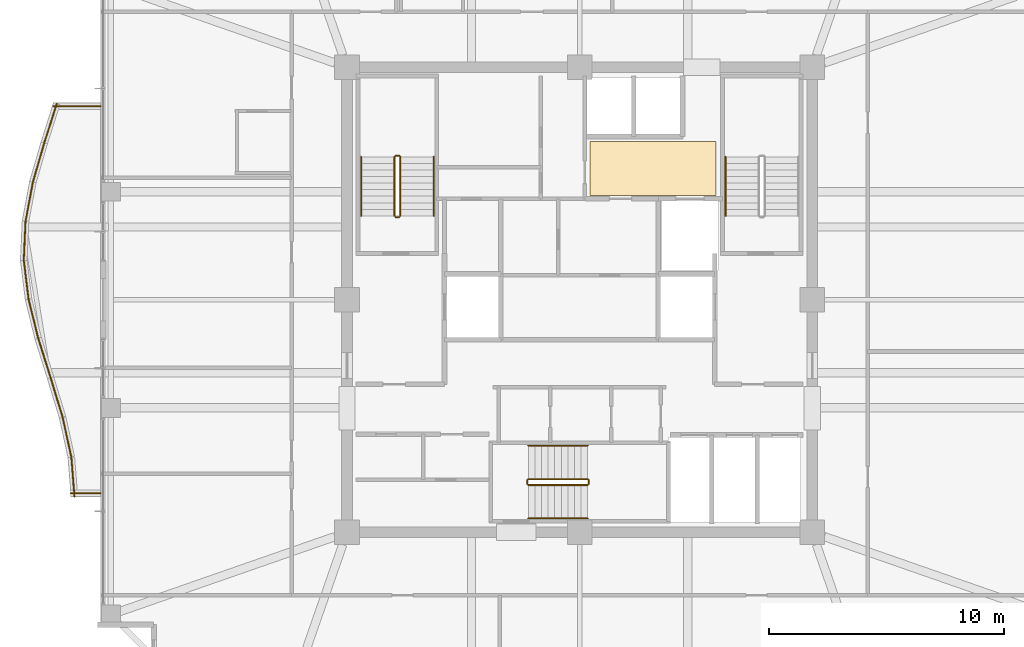
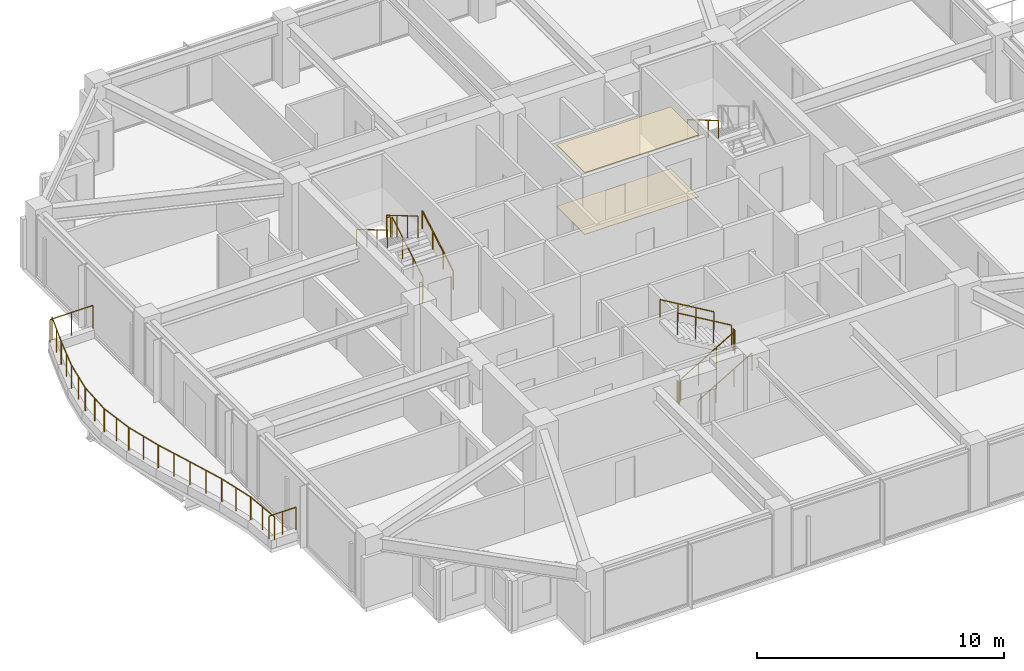
# One storey, part 33 of 34: 25 railings, 2 coverings.
"""IFC4 building model written with IfcOpenShell, lengths in metres."""

from ifc_helpers import new_model, si_unit, direction, frame, origin, origin_2d, place, context, subcontext, project, spatial, polyline, circle, outline, extrude, material, layer, layer_set, type_object, element, save


model = new_model("IFC4")

# Units and contexts
model_context = context("Model", 3, precision=1e-05, world=origin(), true_north=direction((0.0, 1.0)))
body_context = subcontext(model_context, "Body", "Model", "MODEL_VIEW")
ifc_project = project(units=[si_unit("LENGTHUNIT", "METRE"), si_unit("AREAUNIT", "SQUARE_METRE"), si_unit("VOLUMEUNIT", "CUBIC_METRE"), si_unit("PLANEANGLEUNIT", "RADIAN"), si_unit("MASSUNIT", "GRAM", prefix="KILO")], contexts=[model_context])

# Site, building, storey
site_placement = place(None, origin())
site = spatial("IfcSite", under=ifc_project, at=site_placement, CompositionType="ELEMENT")
building_placement = place(site_placement, origin())
building = spatial("IfcBuilding", under=site, at=building_placement, Name="Kolvaren Belvedere", CompositionType="ELEMENT")
storey_placement = place(building_placement, frame((0.0, 0.0, 222.89990234375)))
storey = spatial("IfcBuildingStorey", under=building, at=storey_placement, Name="L65", CompositionType="ELEMENT", Elevation=222.89990234375)

# Coverings
ifc_material_1 = material(Name="Acoustic perforated gypsum board", Category="gypsum")
ifc_layer_1 = layer(ifc_material_1, 0.02490234375)
ifc_layer_set_1 = layer_set([ifc_layer_1], Name="Acoustic perforated gypsum board")
covering_type_1 = type_object("IfcCoveringType", Name="COV-CEIL-GYP", PredefinedType="CEILING", material=ifc_layer_set_1)
covering_1_placement = place(storey_placement, frame((0.0, 0.0, 3.05517578125)))
element("IfcCovering", 1, at=covering_1_placement, inside=storey, type_object=covering_type_1, Name="L65 Lift Lobby Acoustic Baffle Ceiling", PredefinedType="CEILING", context=body_context, shape_type="SweptSolid", body=[
    extrude(outline(polyline([(0.449951171875, 4.449951171875), (5.800048828125, 4.449951171875), (5.800048828125, 6.75), (0.449951171875, 6.75), (0.449951171875, 4.449951171875)])), origin(), (0.0, 0.0, 1.0), 0.02490234375),
])
ifc_material_2 = material(Name="Engineered Pacific white oak", Category="timber")
ifc_layer_2 = layer(ifc_material_2, 0.02001953125)
ifc_layer_set_2 = layer_set([ifc_layer_2], Name="Engineered Pacific white oak")
covering_type_2 = type_object("IfcCoveringType", Name="COV-FLR-OAK", PredefinedType="FLOORING", material=ifc_layer_set_2)
covering_2_placement = place(storey_placement, origin())
element("IfcCovering", 2, at=covering_2_placement, inside=storey, type_object=covering_type_2, Name="L65 Lift Lobby Finish Flooring", PredefinedType="FLOORING", context=body_context, shape_type="SweptSolid", body=[
    extrude(outline(polyline([(0.449951171875, 4.449951171875), (5.800048828125, 4.449951171875), (5.800048828125, 6.75), (0.449951171875, 6.75), (0.449951171875, 4.449951171875)])), origin(), (0.0, 0.0, 1.0), 0.02001953125),
])

# Railings
ifc_material_3 = material(Name="Anodised pale-metal aluminium & laminated glass guard", Category="aluminium")
railing_type_1 = type_object("IfcRailingType", Name="RL-GUARD-1150", PredefinedType="GUARDRAIL", material=ifc_material_3)
railing_1_placement = place(storey_placement, frame((-22.25390625, 8.351318359375, 0.380126953125)))
element("IfcRailing", 3, at=railing_1_placement, inside=storey, type_object=railing_type_1, Name="L65 Exterior Deck Safety Guard BAL-W-1", PredefinedType="GUARDRAIL", context=body_context, shape_type="SweptSolid", body=[
    extrude(circle(Radius=0.02392578125, at=origin_2d()), frame((0.0, 0.0, 1.1259765625), z_axis=(-0.304032153573, -0.952661770826, 0.0), x_axis=(0.952661770826, -0.304032153573, 0.0)), (0.0, 0.0, 1.0), 1.763427734375),
    extrude(circle(Radius=0.02099609375, at=origin_2d()), origin(), (0.0, 0.0, 1.0), 1.101806640625),
    extrude(circle(Radius=0.02099609375, at=origin_2d()), frame((-0.26806640625, -0.83984375, 0.0)), (0.0, 0.0, 1.0), 1.101806640625),
    extrude(circle(Radius=0.02099609375, at=origin_2d()), frame((-0.5361328125, -1.679931640625, 0.0)), (0.0, 0.0, 1.0), 1.101806640625),
])
railing_2_placement = place(storey_placement, frame((-22.788818359375, 6.675537109375, 0.380126953125)))
element("IfcRailing", 4, at=railing_2_placement, inside=storey, type_object=railing_type_1, Name="L65 Exterior Deck Safety Guard BAL-W-2", PredefinedType="GUARDRAIL", context=body_context, shape_type="SweptSolid", body=[
    extrude(circle(Radius=0.02392578125, at=origin_2d()), frame((0.0, 0.0, 1.1259765625), z_axis=(-0.277817391164, -0.960633903819, 0.0), x_axis=(0.960633903819, -0.277817391164, 0.0)), (0.0, 0.0, 1.0), 1.748779296875),
    extrude(circle(Radius=0.02099609375, at=origin_2d()), origin(), (0.0, 0.0, 1.0), 1.101806640625),
    extrude(circle(Radius=0.02099609375, at=origin_2d()), frame((-0.242919921875, -0.83984375, 0.0)), (0.0, 0.0, 1.0), 1.101806640625),
    extrude(circle(Radius=0.02099609375, at=origin_2d()), frame((-0.48583984375, -1.679931640625, 0.0)), (0.0, 0.0, 1.0), 1.101806640625),
])
railing_3_placement = place(storey_placement, frame((-23.271240234375, 5.010498046875, 0.380126953125)))
element("IfcRailing", 5, at=railing_3_placement, inside=storey, type_object=railing_type_1, Name="L65 Exterior Deck Safety Guard BAL-W-3", PredefinedType="GUARDRAIL", context=body_context, shape_type="SweptSolid", body=[
    extrude(circle(Radius=0.02392578125, at=origin_2d()), frame((0.0, 0.0, 1.1259765625), z_axis=(-0.184650661912, -0.982804219087, 0.0), x_axis=(0.982804219087, -0.184650661912, 0.0)), (0.0, 0.0, 1.0), 1.70947265625),
    extrude(circle(Radius=0.02099609375, at=origin_2d()), origin(), (0.0, 0.0, 1.0), 1.101806640625),
    extrude(circle(Radius=0.02099609375, at=origin_2d()), frame((-0.15771484375, -0.840087890625, 0.0)), (0.0, 0.0, 1.0), 1.101806640625),
    extrude(circle(Radius=0.02099609375, at=origin_2d()), frame((-0.315673828125, -1.68017578125, 0.0)), (0.0, 0.0, 1.0), 1.101806640625),
])
railing_4_placement = place(storey_placement, frame((-23.58447265625, 3.352783203125, 0.380126953125)))
element("IfcRailing", 6, at=railing_4_placement, inside=storey, type_object=railing_type_1, Name="L65 Exterior Deck Safety Guard BAL-W-4", PredefinedType="GUARDRAIL", context=body_context, shape_type="SweptSolid", body=[
    extrude(circle(Radius=0.02392578125, at=origin_2d()), frame((0.0, 0.0, 1.1259765625), z_axis=(-0.045005941428, -0.998986719249, 0.0), x_axis=(0.998986719249, -0.045005941428, 0.0)), (0.0, 0.0, 1.0), 1.681640625),
    extrude(circle(Radius=0.02099609375, at=origin_2d()), origin(), (0.0, 0.0, 1.0), 1.101806640625),
    extrude(circle(Radius=0.02099609375, at=origin_2d()), frame((-0.037841796875, -0.83984375, 0.0)), (0.0, 0.0, 1.0), 1.101806640625),
    extrude(circle(Radius=0.02099609375, at=origin_2d()), frame((-0.07568359375, -1.679931640625, 0.0)), (0.0, 0.0, 1.0), 1.101806640625),
])
railing_5_placement = place(storey_placement, frame((-23.6611328125, 1.699462890625, 0.380126953125)))
element("IfcRailing", 7, at=railing_5_placement, inside=storey, type_object=railing_type_1, Name="L65 Exterior Deck Safety Guard BAL-W-5", PredefinedType="GUARDRAIL", context=body_context, shape_type="SweptSolid", body=[
    extrude(circle(Radius=0.02392578125, at=origin_2d()), frame((0.0, 0.0, 1.1259765625), z_axis=(0.121886315522, -0.99254406758, 0.0), x_axis=(0.99254406758, 0.121886315522, 0.0)), (0.0, 0.0, 1.0), 1.692626953125),
    extrude(circle(Radius=0.02099609375, at=origin_2d()), origin(), (0.0, 0.0, 1.0), 1.101806640625),
    extrude(circle(Radius=0.02099609375, at=origin_2d()), frame((0.10302734375, -0.83984375, 0.0)), (0.0, 0.0, 1.0), 1.101806640625),
    extrude(circle(Radius=0.02099609375, at=origin_2d()), frame((0.206298828125, -1.679931640625, 0.0)), (0.0, 0.0, 1.0), 1.101806640625),
])
railing_6_placement = place(storey_placement, frame((-23.458251953125, 0.038330078125, 0.380126953125)))
element("IfcRailing", 8, at=railing_6_placement, inside=storey, type_object=railing_type_1, Name="L65 Exterior Deck Safety Guard BAL-W-6", PredefinedType="GUARDRAIL", context=body_context, shape_type="SweptSolid", body=[
    extrude(circle(Radius=0.02392578125, at=origin_2d()), frame((0.0, 0.0, 1.1259765625), z_axis=(0.239180748277, -0.970975061293, 0.0), x_axis=(0.970975061293, 0.239180748277, 0.0)), (0.0, 0.0, 1.0), 1.730224609375),
    extrude(circle(Radius=0.02099609375, at=origin_2d()), origin(), (0.0, 0.0, 1.0), 1.101806640625),
    extrude(circle(Radius=0.02099609375, at=origin_2d()), frame((0.20703125, -0.83984375, 0.0)), (0.0, 0.0, 1.0), 1.101806640625),
    extrude(circle(Radius=0.02099609375, at=origin_2d()), frame((0.413818359375, -1.679931640625, 0.0)), (0.0, 0.0, 1.0), 1.101806640625),
])
railing_7_placement = place(storey_placement, frame((-23.047119140625, -1.632080078125, 0.380126953125)))
element("IfcRailing", 9, at=railing_7_placement, inside=storey, type_object=railing_type_1, Name="L65 Exterior Deck Safety Guard BAL-W-7", PredefinedType="GUARDRAIL", context=body_context, shape_type="SweptSolid", body=[
    extrude(circle(Radius=0.02392578125, at=origin_2d()), frame((0.0, 0.0, 1.1259765625), z_axis=(0.299624691176, -0.954057149461, 0.0), x_axis=(0.954057149461, 0.299624691176, 0.0)), (0.0, 0.0, 1.0), 1.7607421875),
    extrude(circle(Radius=0.02099609375, at=origin_2d()), origin(), (0.0, 0.0, 1.0), 1.101806640625),
    extrude(circle(Radius=0.02099609375, at=origin_2d()), frame((0.263671875, -0.83984375, 0.0)), (0.0, 0.0, 1.0), 1.101806640625),
    extrude(circle(Radius=0.02099609375, at=origin_2d()), frame((0.527587890625, -1.679931640625, 0.0)), (0.0, 0.0, 1.0), 1.101806640625),
])
railing_8_placement = place(storey_placement, frame((-22.51904296875, -3.3134765625, 0.380126953125)))
element("IfcRailing", 10, at=railing_8_placement, inside=storey, type_object=railing_type_1, Name="L65 Exterior Deck Safety Guard BAL-W-8", PredefinedType="GUARDRAIL", context=body_context, shape_type="SweptSolid", body=[
    extrude(circle(Radius=0.02392578125, at=origin_2d()), frame((0.0, 0.0, 1.1259765625), z_axis=(0.290879426191, -0.956759718748, 0.0), x_axis=(0.956759718748, 0.290879426191, 0.0)), (0.0, 0.0, 1.0), 1.755859375),
    extrude(circle(Radius=0.02099609375, at=origin_2d()), origin(), (0.0, 0.0, 1.0), 1.101806640625),
    extrude(circle(Radius=0.02099609375, at=origin_2d()), frame((0.25537109375, -0.83984375, 0.0)), (0.0, 0.0, 1.0), 1.101806640625),
    extrude(circle(Radius=0.02099609375, at=origin_2d()), frame((0.5107421875, -1.679931640625, 0.0)), (0.0, 0.0, 1.0), 1.101806640625),
])
railing_9_placement = place(storey_placement, frame((-22.0048828125, -5.005859375, 0.380126953125)))
element("IfcRailing", 11, at=railing_9_placement, inside=storey, type_object=railing_type_1, Name="L65 Exterior Deck Safety Guard BAL-W-9", PredefinedType="GUARDRAIL", context=body_context, shape_type="SweptSolid", body=[
    extrude(circle(Radius=0.02392578125, at=origin_2d()), frame((0.0, 0.0, 1.1259765625), z_axis=(0.213802724545, -0.976876857632, 0.0), x_axis=(0.976876857632, 0.213802724545, 0.0)), (0.0, 0.0, 1.0), 1.7197265625),
    extrude(circle(Radius=0.02099609375, at=origin_2d()), origin(), (0.0, 0.0, 1.0), 1.101806640625),
    extrude(circle(Radius=0.02099609375, at=origin_2d()), frame((0.183837890625, -0.83984375, 0.0)), (0.0, 0.0, 1.0), 1.101806640625),
    extrude(circle(Radius=0.02099609375, at=origin_2d()), frame((0.36767578125, -1.679931640625, 0.0)), (0.0, 0.0, 1.0), 1.101806640625),
])
railing_10_placement = place(storey_placement, frame((-21.634033203125, -6.707275390625, 0.380126953125)))
element("IfcRailing", 12, at=railing_10_placement, inside=storey, type_object=railing_type_1, Name="L65 Exterior Deck Safety Guard BAL-W-10", PredefinedType="GUARDRAIL", context=body_context, shape_type="SweptSolid", body=[
    extrude(circle(Radius=0.02392578125, at=origin_2d()), frame((0.0, 0.0, 1.1259765625), z_axis=(0.079244268248, -0.99685522818, 0.0), x_axis=(0.99685522818, 0.079244268248, 0.0)), (0.0, 0.0, 1.0), 1.685302734375),
    extrude(circle(Radius=0.02099609375, at=origin_2d()), origin(), (0.0, 0.0, 1.0), 1.101806640625),
    extrude(circle(Radius=0.02099609375, at=origin_2d()), frame((0.06689453125, -0.83984375, 0.0)), (0.0, 0.0, 1.0), 1.101806640625),
    extrude(circle(Radius=0.02099609375, at=origin_2d()), frame((0.133544921875, -1.679931640625, 0.0)), (0.0, 0.0, 1.0), 1.101806640625),
])
railing_11_placement = place(storey_placement, frame((-21.659912109375, -8.239990234375, 0.380126953125)))
element("IfcRailing", 13, at=railing_11_placement, inside=storey, type_object=railing_type_1, Name="L65 Exterior Deck Safety Guard BAL-W-11", PredefinedType="GUARDRAIL", context=body_context, shape_type="SweptSolid", body=[
    extrude(circle(Radius=0.02392578125, at=origin_2d()), frame((0.0, 0.0, 1.1259765625), z_axis=(1.0, 0.0, 0.0), x_axis=(0.0, 1.0, 0.0)), (0.0, 0.0, 1.0), 1.260009765625),
    extrude(circle(Radius=0.02099609375, at=origin_2d()), origin(), (0.0, 0.0, 1.0), 1.101806640625),
    extrude(circle(Radius=0.02099609375, at=origin_2d()), frame((0.6298828125, 0.0, 0.0)), (0.0, 0.0, 1.0), 1.101806640625),
    extrude(circle(Radius=0.02099609375, at=origin_2d()), frame((1.260009765625, 0.0, 0.0)), (0.0, 0.0, 1.0), 1.101806640625),
])
railing_12_placement = place(storey_placement, frame((-20.39990234375, 8.239990234375, 0.380126953125)))
element("IfcRailing", 14, at=railing_12_placement, inside=storey, type_object=railing_type_1, Name="L65 Exterior Deck Safety Guard BAL-W-22", PredefinedType="GUARDRAIL", context=body_context, shape_type="SweptSolid", body=[
    extrude(circle(Radius=0.02392578125, at=origin_2d()), frame((0.0, 0.0, 1.1259765625), z_axis=(-1.0, 0.0, 0.0), x_axis=(0.0, -1.0, 0.0)), (0.0, 0.0, 1.0), 2.00634765625),
    extrude(circle(Radius=0.02099609375, at=origin_2d()), origin(), (0.0, 0.0, 1.0), 1.101806640625),
    extrude(circle(Radius=0.02099609375, at=origin_2d()), frame((-1.003173828125, 0.0, 0.0)), (0.0, 0.0, 1.0), 1.101806640625),
    extrude(circle(Radius=0.02099609375, at=origin_2d()), frame((-2.00634765625, 0.0, 0.0)), (0.0, 0.0, 1.0), 1.101806640625),
])
ifc_material_4 = material(Name="Brushed stainless-steel handrail", Category="steel")
railing_type_2 = type_object("IfcRailingType", Name="RL-HANDRAIL-920", PredefinedType="HANDRAIL", material=ifc_material_4)
railing_13_placement = place(storey_placement, frame((-6.2099609375, 3.570068359375, 0.1650390625)))
element("IfcRailing", 15, at=railing_13_placement, inside=storey, type_object=railing_type_2, Name="L65 ST-1 stair handrail 1", PredefinedType="HANDRAIL", context=body_context, shape_type="SweptSolid", body=[
    extrude(circle(Radius=0.02392578125, at=origin_2d()), frame((0.0, 0.0, 0.8759765625), z_axis=(0.0, 0.86152411907, 0.507716645641), x_axis=(-1.0, 0.0, 0.0)), (0.0, 0.0, 1.0), 2.925048828125),
    extrude(circle(Radius=0.02099609375, at=origin_2d()), origin(), (0.0, 0.0, 1.0), 0.851806640625),
    extrude(circle(Radius=0.02099609375, at=origin_2d()), frame((0.0, 0.840087890625, 0.4951171875)), (0.0, 0.0, 1.0), 0.851806640625),
    extrude(circle(Radius=0.02099609375, at=origin_2d()), frame((0.0, 1.679931640625, 0.989990234375)), (0.0, 0.0, 1.0), 0.851806640625),
    extrude(circle(Radius=0.02099609375, at=origin_2d()), frame((0.0, 2.52001953125, 1.485107421875)), (0.0, 0.0, 1.0), 0.851806640625),
])
for number, where, name in (
    (16, (-9.300048828125, 6.090087890625, 1.815185546875), "L65 ST-1 stair handrail 2"),
    (17, (6.2099609375, 6.090087890625, 1.815185546875), "L65 ST-2 stair handrail 2"),
):
    element("IfcRailing", number, at=place(storey_placement, frame(where)), inside=storey, type_object=railing_type_2, Name=name, PredefinedType="HANDRAIL", context=body_context, shape_type="SweptSolid", body=[
        extrude(circle(Radius=0.02392578125, at=origin_2d()), frame((0.0, 0.0, 0.8759765625), z_axis=(0.0, -0.861560626758, 0.507654692109), x_axis=(1.0, 0.0, 0.0)), (0.0, 0.0, 1.0), 2.925048828125),
        extrude(circle(Radius=0.02099609375, at=origin_2d()), origin(), (0.0, 0.0, 1.0), 0.851806640625),
        extrude(circle(Radius=0.02099609375, at=origin_2d()), frame((0.0, -0.840087890625, 0.494873046875)), (0.0, 0.0, 1.0), 0.851806640625),
        extrude(circle(Radius=0.02099609375, at=origin_2d()), frame((0.0, -1.679931640625, 0.989990234375)), (0.0, 0.0, 1.0), 0.851806640625),
        extrude(circle(Radius=0.02099609375, at=origin_2d()), frame((0.0, -2.52001953125, 1.48486328125)), (0.0, 0.0, 1.0), 0.851806640625),
    ])
railing_14_placement = place(storey_placement, frame((-2.179931640625, -9.300048828125, 0.1650390625)))
element("IfcRailing", 18, at=railing_14_placement, inside=storey, type_object=railing_type_2, Name="L65 ST-3 stair handrail 1", PredefinedType="HANDRAIL", context=body_context, shape_type="SweptSolid", body=[
    extrude(circle(Radius=0.02392578125, at=origin_2d()), frame((0.0, 0.0, 0.8759765625), z_axis=(0.86152411907, 0.0, 0.507716645641), x_axis=(0.0, 1.0, 0.0)), (0.0, 0.0, 1.0), 2.925048828125),
    extrude(circle(Radius=0.02099609375, at=origin_2d()), origin(), (0.0, 0.0, 1.0), 0.851806640625),
    extrude(circle(Radius=0.02099609375, at=origin_2d()), frame((0.840087890625, 0.0, 0.4951171875)), (0.0, 0.0, 1.0), 0.851806640625),
    extrude(circle(Radius=0.02099609375, at=origin_2d()), frame((1.679931640625, 0.0, 0.989990234375)), (0.0, 0.0, 1.0), 0.851806640625),
    extrude(circle(Radius=0.02099609375, at=origin_2d()), frame((2.52001953125, 0.0, 1.485107421875)), (0.0, 0.0, 1.0), 0.851806640625),
])
railing_15_placement = place(storey_placement, frame((0.340087890625, -6.2099609375, 1.815185546875)))
element("IfcRailing", 19, at=railing_15_placement, inside=storey, type_object=railing_type_2, Name="L65 ST-3 stair handrail 2", PredefinedType="HANDRAIL", context=body_context, shape_type="SweptSolid", body=[
    extrude(circle(Radius=0.02392578125, at=origin_2d()), frame((0.0, 0.0, 0.8759765625), z_axis=(-0.861560626758, 0.0, 0.507654692109), x_axis=(0.0, -1.0, 0.0)), (0.0, 0.0, 1.0), 2.925048828125),
    extrude(circle(Radius=0.02099609375, at=origin_2d()), origin(), (0.0, 0.0, 1.0), 0.851806640625),
    extrude(circle(Radius=0.02099609375, at=origin_2d()), frame((-0.840087890625, 0.0, 0.494873046875)), (0.0, 0.0, 1.0), 0.851806640625),
    extrude(circle(Radius=0.02099609375, at=origin_2d()), frame((-1.679931640625, 0.0, 0.989990234375)), (0.0, 0.0, 1.0), 0.851806640625),
    extrude(circle(Radius=0.02099609375, at=origin_2d()), frame((-2.52001953125, 0.0, 1.48486328125)), (0.0, 0.0, 1.0), 0.851806640625),
])
ifc_material_5 = material(Name="Painted tubular steel stair guard", Category="steel")
railing_type_3 = type_object("IfcRailingType", Name="RL-STGUARD-1100", PredefinedType="GUARDRAIL", material=ifc_material_5)
railing_16_placement = place(storey_placement, frame((-7.6298828125, 3.570068359375, 0.1650390625)))
element("IfcRailing", 20, at=railing_16_placement, inside=storey, type_object=railing_type_3, Name="L65 ST-1 stair guard 1", PredefinedType="GUARDRAIL", context=body_context, shape_type="SweptSolid", body=[
    extrude(circle(Radius=0.02392578125, at=origin_2d()), frame((0.0, 0.0, 1.076171875), z_axis=(0.0, 0.86152411907, 0.507716645641), x_axis=(-1.0, 0.0, 0.0)), (0.0, 0.0, 1.0), 2.925048828125),
    extrude(circle(Radius=0.02099609375, at=origin_2d()), origin(), (0.0, 0.0, 1.0), 1.052001953125),
    extrude(circle(Radius=0.02099609375, at=origin_2d()), frame((0.0, 0.840087890625, 0.4951171875)), (0.0, 0.0, 1.0), 1.052001953125),
    extrude(circle(Radius=0.02099609375, at=origin_2d()), frame((0.0, 1.679931640625, 0.989990234375)), (0.0, 0.0, 1.0), 1.052001953125),
    extrude(circle(Radius=0.02099609375, at=origin_2d()), frame((0.0, 2.52001953125, 1.485107421875)), (0.0, 0.0, 1.0), 1.052001953125),
])
railing_17_placement = place(storey_placement, frame((-7.679931640625, 6.139892578125, 1.650146484375)))
element("IfcRailing", 21, at=railing_17_placement, inside=storey, type_object=railing_type_3, Name="L65 ST-1 stair guard 2", PredefinedType="GUARDRAIL", context=body_context, shape_type="SweptSolid", body=[
    extrude(circle(Radius=0.02392578125, at=origin_2d()), frame((0.0, 0.0, 1.076171875), z_axis=(-1.0, 0.0, 0.0), x_axis=(0.0, -1.0, 0.0)), (0.0, 0.0, 1.0), 0.150146484375),
    extrude(circle(Radius=0.02099609375, at=origin_2d()), origin(), (0.0, 0.0, 1.0), 1.052001953125),
    extrude(circle(Radius=0.02099609375, at=origin_2d()), frame((-0.150146484375, 0.0, 0.0)), (0.0, 0.0, 1.0), 1.052001953125),
])
railing_18_placement = place(storey_placement, frame((-7.8798828125, 6.090087890625, 1.815185546875)))
element("IfcRailing", 22, at=railing_18_placement, inside=storey, type_object=railing_type_3, Name="L65 ST-1 stair guard 3", PredefinedType="GUARDRAIL", context=body_context, shape_type="SweptSolid", body=[
    extrude(circle(Radius=0.02392578125, at=origin_2d()), frame((0.0, 0.0, 1.076171875), z_axis=(0.0, -0.861560626758, 0.507654692109), x_axis=(1.0, 0.0, 0.0)), (0.0, 0.0, 1.0), 2.925048828125),
    extrude(circle(Radius=0.02099609375, at=origin_2d()), origin(), (0.0, 0.0, 1.0), 1.052001953125),
    extrude(circle(Radius=0.02099609375, at=origin_2d()), frame((0.0, -0.840087890625, 0.494873046875)), (0.0, 0.0, 1.0), 1.052001953125),
    extrude(circle(Radius=0.02099609375, at=origin_2d()), frame((0.0, -1.679931640625, 0.989990234375)), (0.0, 0.0, 1.0), 1.052001953125),
    extrude(circle(Radius=0.02099609375, at=origin_2d()), frame((0.0, -2.52001953125, 1.48486328125)), (0.0, 0.0, 1.0), 1.052001953125),
])
railing_19_placement = place(storey_placement, frame((-7.679931640625, 3.52001953125, 0.0)))
element("IfcRailing", 23, at=railing_19_placement, inside=storey, type_object=railing_type_3, Name="L65 ST-1 stair guard 4", PredefinedType="GUARDRAIL", context=body_context, shape_type="SweptSolid", body=[
    extrude(circle(Radius=0.02392578125, at=origin_2d()), frame((0.0, 0.0, 1.076171875), z_axis=(-1.0, 0.0, 0.0), x_axis=(0.0, -1.0, 0.0)), (0.0, 0.0, 1.0), 0.150146484375),
    extrude(circle(Radius=0.02099609375, at=origin_2d()), origin(), (0.0, 0.0, 1.0), 1.052001953125),
    extrude(circle(Radius=0.02099609375, at=origin_2d()), frame((-0.150146484375, 0.0, 0.0)), (0.0, 0.0, 1.0), 1.052001953125),
])
railing_20_placement = place(storey_placement, frame((-2.179931640625, -7.8798828125, 0.1650390625)))
element("IfcRailing", 24, at=railing_20_placement, inside=storey, type_object=railing_type_3, Name="L65 ST-3 stair guard 1", PredefinedType="GUARDRAIL", context=body_context, shape_type="SweptSolid", body=[
    extrude(circle(Radius=0.02392578125, at=origin_2d()), frame((0.0, 0.0, 1.076171875), z_axis=(0.86152411907, 0.0, 0.507716645641), x_axis=(0.0, 1.0, 0.0)), (0.0, 0.0, 1.0), 2.925048828125),
    extrude(circle(Radius=0.02099609375, at=origin_2d()), origin(), (0.0, 0.0, 1.0), 1.052001953125),
    extrude(circle(Radius=0.02099609375, at=origin_2d()), frame((0.840087890625, 0.0, 0.4951171875)), (0.0, 0.0, 1.0), 1.052001953125),
    extrude(circle(Radius=0.02099609375, at=origin_2d()), frame((1.679931640625, 0.0, 0.989990234375)), (0.0, 0.0, 1.0), 1.052001953125),
    extrude(circle(Radius=0.02099609375, at=origin_2d()), frame((2.52001953125, 0.0, 1.485107421875)), (0.0, 0.0, 1.0), 1.052001953125),
])
railing_21_placement = place(storey_placement, frame((0.389892578125, -7.830078125, 1.650146484375)))
element("IfcRailing", 25, at=railing_21_placement, inside=storey, type_object=railing_type_3, Name="L65 ST-3 stair guard 2", PredefinedType="GUARDRAIL", context=body_context, shape_type="SweptSolid", body=[
    extrude(circle(Radius=0.02392578125, at=origin_2d()), frame((0.0, 0.0, 1.076171875), z_axis=(0.0, 1.0, 0.0), x_axis=(-1.0, 0.0, 0.0)), (0.0, 0.0, 1.0), 0.150146484375),
    extrude(circle(Radius=0.02099609375, at=origin_2d()), origin(), (0.0, 0.0, 1.0), 1.052001953125),
    extrude(circle(Radius=0.02099609375, at=origin_2d()), frame((0.0, 0.150146484375, 0.0)), (0.0, 0.0, 1.0), 1.052001953125),
])
railing_22_placement = place(storey_placement, frame((0.340087890625, -7.6298828125, 1.815185546875)))
element("IfcRailing", 26, at=railing_22_placement, inside=storey, type_object=railing_type_3, Name="L65 ST-3 stair guard 3", PredefinedType="GUARDRAIL", context=body_context, shape_type="SweptSolid", body=[
    extrude(circle(Radius=0.02392578125, at=origin_2d()), frame((0.0, 0.0, 1.076171875), z_axis=(-0.861560626758, 0.0, 0.507654692109), x_axis=(0.0, -1.0, 0.0)), (0.0, 0.0, 1.0), 2.925048828125),
    extrude(circle(Radius=0.02099609375, at=origin_2d()), origin(), (0.0, 0.0, 1.0), 1.052001953125),
    extrude(circle(Radius=0.02099609375, at=origin_2d()), frame((-0.840087890625, 0.0, 0.494873046875)), (0.0, 0.0, 1.0), 1.052001953125),
    extrude(circle(Radius=0.02099609375, at=origin_2d()), frame((-1.679931640625, 0.0, 0.989990234375)), (0.0, 0.0, 1.0), 1.052001953125),
    extrude(circle(Radius=0.02099609375, at=origin_2d()), frame((-2.52001953125, 0.0, 1.48486328125)), (0.0, 0.0, 1.0), 1.052001953125),
])
railing_23_placement = place(storey_placement, frame((-2.22998046875, -7.830078125, 0.0)))
element("IfcRailing", 27, at=railing_23_placement, inside=storey, type_object=railing_type_3, Name="L65 ST-3 stair guard 4", PredefinedType="GUARDRAIL", context=body_context, shape_type="SweptSolid", body=[
    extrude(circle(Radius=0.02392578125, at=origin_2d()), frame((0.0, 0.0, 1.076171875), z_axis=(0.0, 1.0, 0.0), x_axis=(-1.0, 0.0, 0.0)), (0.0, 0.0, 1.0), 0.150146484375),
    extrude(circle(Radius=0.02099609375, at=origin_2d()), origin(), (0.0, 0.0, 1.0), 1.052001953125),
    extrude(circle(Radius=0.02099609375, at=origin_2d()), frame((0.0, 0.150146484375, 0.0)), (0.0, 0.0, 1.0), 1.052001953125),
])

save(model, "model.ifc")
